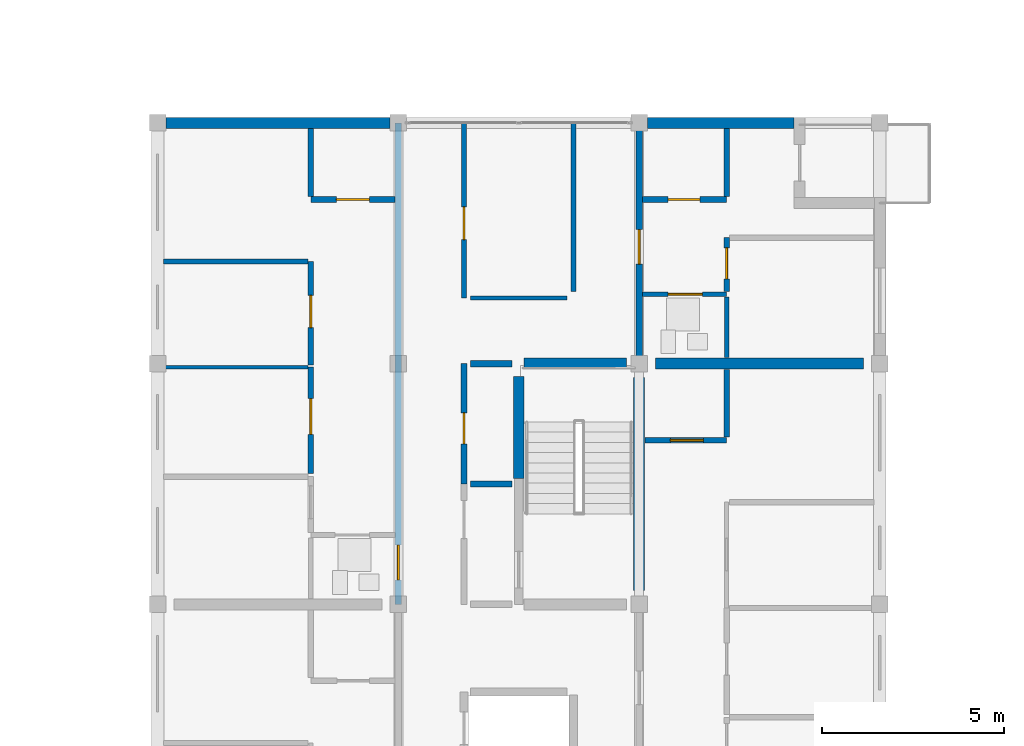
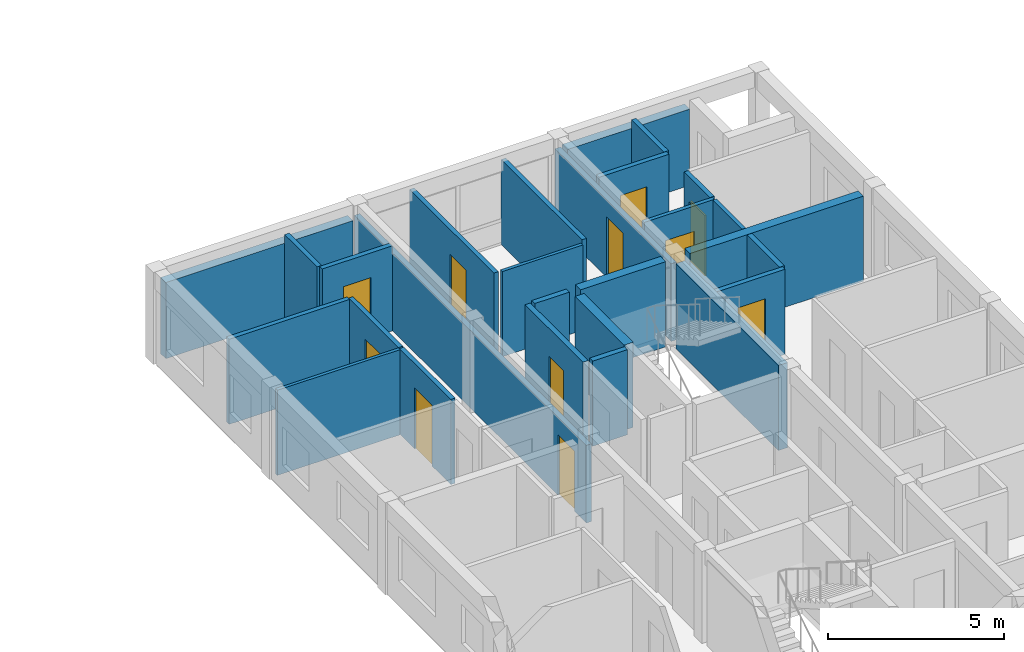
# One storey, part 30 of 45: 27 walls, 11 doors, 11 openings.
"""IFC4 building model written with IfcOpenShell, lengths in metres."""

from ifc_helpers import new_model, si_unit, direction, frame, frame_2d, origin, place, context, subcontext, project, spatial, rectangle, extrude, material, layer, layer_set, type_object, element, fill, save


model = new_model("IFC4")

# Units and contexts
model_context = context("Model", 3, precision=1e-05, world=origin(), true_north=direction((0.0, 1.0)))
body_context = subcontext(model_context, "Body", "Model", "MODEL_VIEW")
ifc_project = project(units=[si_unit("LENGTHUNIT", "METRE"), si_unit("AREAUNIT", "SQUARE_METRE"), si_unit("VOLUMEUNIT", "CUBIC_METRE"), si_unit("PLANEANGLEUNIT", "RADIAN"), si_unit("MASSUNIT", "GRAM", prefix="KILO")], contexts=[model_context])

# Site, building, storey
site_placement = place(None, origin())
site = spatial("IfcSite", under=ifc_project, at=site_placement, CompositionType="ELEMENT")
building_placement = place(site_placement, origin())
building = spatial("IfcBuilding", under=site, at=building_placement, Name="Kernevlak Ridge Housing Community", CompositionType="ELEMENT")
storey_placement = place(building_placement, frame((0.0, 0.0, 14.800048828125)))
storey = spatial("IfcBuildingStorey", under=building, at=storey_placement, Name="L04", CompositionType="ELEMENT", Elevation=14.800048828125)

# Walls
ifc_material_1 = material(Name="Concrete block masonry M10", Category="masonry")
ifc_layer_1 = layer(ifc_material_1, 0.300048828125, Name="Concrete block masonry M10")
ifc_layer_set_1 = layer_set([ifc_layer_1], Name="Concrete block masonry M10")
wall_type_1 = type_object("IfcWallType", Name="EW-01", PredefinedType="STANDARD", material=ifc_layer_set_1)
wall_1_placement = place(storey_placement, frame((126.22509765625, 42.0, 0.0), z_axis=(0.0, 0.0, 1.0), x_axis=(1.0, 0.0, 0.0)))
element("IfcWall", 1, at=wall_1_placement, inside=storey, type_object=wall_type_1, Name="Exterior wall EW-01 L04 598", PredefinedType="STANDARD", context=body_context, shape_type="SweptSolid", body=[
    extrude(rectangle(XDim=6.14990234375, YDim=0.300048828125, at=frame_2d((3.074951171875, 0.0))), origin(), (0.0, 0.0, 1.0), 2.64990234375),
])
wall_2_placement = place(storey_placement, frame((139.425048828125, 42.0, 0.0), z_axis=(0.0, 0.0, 1.0), x_axis=(1.0, 0.0, 0.0)))
element("IfcWall", 2, at=wall_2_placement, inside=storey, type_object=wall_type_1, Name="Exterior wall EW-01 L04 599", PredefinedType="STANDARD", context=body_context, shape_type="SweptSolid", body=[
    extrude(rectangle(XDim=4.02490234375, YDim=0.300048828125, at=frame_2d((2.012451171875, 0.0))), origin(), (0.0, 0.0, 1.0), 2.64990234375),
])

# Wall, opening, door
ifc_layer_2 = layer(ifc_material_1, 0.175048828125, Name="Concrete block masonry M10")
ifc_layer_set_2 = layer_set([ifc_layer_2], Name="Concrete block masonry M10")
wall_type_2 = type_object("IfcWallType", Name="PW-02", PredefinedType="PARTITIONING", material=ifc_layer_set_2)
wall_3_placement = place(storey_placement, frame((134.39990234375, 32.10009765625, 0.0), z_axis=(0.0, 0.0, 1.0), x_axis=(0.0, 1.0, 0.0)))
wall_3 = element("IfcWall", 3, at=wall_3_placement, inside=storey, type_object=wall_type_2, Name="Interior wall PW-02 WAL-INT-L04-2375", PredefinedType="PARTITIONING", context=body_context, shape_type="SweptSolid", body=[
    extrude(rectangle(XDim=3.2998046875, YDim=0.175048828125, at=frame_2d((1.64990234375, 0.0))), origin(), (0.0, 0.0, 1.0), 2.9599609375),
])
opening_1_placement = place(wall_3_placement, frame((1.10009765625, 0.0, 0.0)))
opening_1 = element("IfcOpeningElement", 4, at=opening_1_placement, cuts=wall_3, Name="Opening E204", PredefinedType="OPENING", context=body_context, shape_type="SweptSolid", body=[
    extrude(rectangle(XDim=0.85009765625, YDim=2.0, at=frame_2d((0.425048828125, 1.0))), frame((0.0, 0.097412109375, 0.0), z_axis=(0.0, -1.0, 0.0), x_axis=(1.0, 0.0, 0.0)), (0.0, 0.0, 1.0), 0.195068359375),
])
ifc_material_2 = material(Name="Fire-rated sheet steel leaf", Category="steel")
door_type_1 = type_object("IfcDoorType", Name="DT-07", OperationType="NOTDEFINED", PredefinedType="DOOR", material=ifc_material_2)
door_1_placement = place(opening_1_placement, origin())
door_1 = element("IfcDoor", 5, at=door_1_placement, inside=storey, type_object=door_type_1, Name="Block C Cleaner store door E204", OperationType="SINGLE_SWING_LEFT", OverallHeight=2.0, OverallWidth=0.85009765625, PredefinedType="DOOR", context=body_context, shape_type="SweptSolid", body=[
    extrude(rectangle(XDim=0.85009765625, YDim=2.0, at=frame_2d((0.425048828125, 1.0))), frame((0.0, 0.02490234375, 0.0), z_axis=(0.0, -1.0, 0.0), x_axis=(1.0, 0.0, 0.0)), (0.0, 0.0, 1.0), 0.050048828125),
])
fill(opening_1, door_1)

# Walls
for number, where, z_axis, x_axis, name in (
    (6, (134.580078125, 32.10009765625, 0.0), (0.0, 0.0, 1.0), (1.0, 0.0, 0.0), "Interior wall PW-02 WAL-INT-L04-2377"),
    (7, (134.580078125, 35.39990234375, 0.0), (0.0, 0.0, 1.0), (1.0, 0.0, 0.0), "Interior wall PW-02 WAL-INT-L04-2378"),
):
    element("IfcWall", number, at=place(storey_placement, frame(where, z_axis=z_axis, x_axis=x_axis)), inside=storey, type_object=wall_type_2, Name=name, PredefinedType="PARTITIONING", context=body_context, shape_type="SweptSolid", body=[
        extrude(rectangle(XDim=1.139892578125, YDim=0.175048828125, at=frame_2d((0.56982421875, 0.0))), origin(), (0.0, 0.0, 1.0), 2.9599609375),
    ])

# Wall, opening, door
wall_4_placement = place(storey_placement, frame((132.60009765625, 28.800048828125, 0.0), z_axis=(0.0, 0.0, 1.0), x_axis=(0.0, 1.0, 0.0)))
wall_4 = element("IfcWall", 8, at=wall_4_placement, inside=storey, type_object=wall_type_2, Name="Interior wall PW-02 WAL-INT-L04-2393", PredefinedType="PARTITIONING", context=body_context, shape_type="SweptSolid", body=[
    extrude(rectangle(XDim=13.199951171875, YDim=0.175048828125, at=frame_2d((6.60009765625, 0.0))), origin(), (0.0, 0.0, 1.0), 2.699951171875),
])
opening_2_placement = place(wall_4_placement, frame((0.669921875, 0.0, 0.0)))
opening_2 = element("IfcOpeningElement", 9, at=opening_2_placement, cuts=wall_4, Name="Opening E212", PredefinedType="OPENING", context=body_context, shape_type="SweptSolid", body=[
    extrude(rectangle(XDim=0.949951171875, YDim=2.10009765625, at=frame_2d((0.47509765625, 1.050048828125))), frame((0.0, 0.097412109375, 0.0), z_axis=(0.0, -1.0, 0.0), x_axis=(1.0, 0.0, 0.0)), (0.0, 0.0, 1.0), 0.195068359375),
])
ifc_material_3 = material(Name="Hardwood timber solid-core fire leaf", Category="wood")
door_type_2 = type_object("IfcDoorType", Name="DT-01", OperationType="NOTDEFINED", PredefinedType="DOOR", material=ifc_material_3)
door_2_placement = place(opening_2_placement, origin())
door_2 = element("IfcDoor", 10, at=door_2_placement, inside=storey, type_object=door_type_2, Name="Flat C0412 entrance fire door E212", OperationType="SINGLE_SWING_LEFT", OverallHeight=2.10009765625, OverallWidth=0.949951171875, PredefinedType="DOOR", context=body_context, shape_type="SweptSolid", body=[
    extrude(rectangle(XDim=0.949951171875, YDim=2.10009765625, at=frame_2d((0.47509765625, 1.050048828125))), frame((0.0, 0.02490234375, 0.0), z_axis=(0.0, -1.0, 0.0), x_axis=(1.0, 0.0, 0.0)), (0.0, 0.0, 1.0), 0.050048828125),
])
fill(opening_2, door_2)

wall_5_placement = place(storey_placement, frame((139.199951171875, 35.39990234375, 0.0), z_axis=(0.0, 0.0, 1.0), x_axis=(0.0, 1.0, 0.0)))
wall_5 = element("IfcWall", 11, at=wall_5_placement, inside=storey, type_object=wall_type_2, Name="Interior wall PW-02 WAL-INT-L04-2423", PredefinedType="PARTITIONING", context=body_context, shape_type="SweptSolid", body=[
    extrude(rectangle(XDim=6.60009765625, YDim=0.175048828125, at=frame_2d((3.300048828125, 0.0))), origin(), (0.0, 0.0, 1.0), 2.699951171875),
])
opening_3_placement = place(wall_5_placement, frame((2.72509765625, 0.0, 0.0)))
opening_3 = element("IfcOpeningElement", 12, at=opening_3_placement, cuts=wall_5, Name="Opening E228", PredefinedType="OPENING", context=body_context, shape_type="SweptSolid", body=[
    extrude(rectangle(XDim=0.949951171875, YDim=2.10009765625, at=frame_2d((0.47509765625, 1.050048828125))), frame((0.0, 0.097412109375, 0.0), z_axis=(0.0, -1.0, 0.0), x_axis=(1.0, 0.0, 0.0)), (0.0, 0.0, 1.0), 0.195068359375),
])
door_3_placement = place(opening_3_placement, origin())
door_3 = element("IfcDoor", 13, at=door_3_placement, inside=storey, type_object=door_type_2, Name="Flat C0423 entrance fire door E228", OperationType="SINGLE_SWING_LEFT", OverallHeight=2.10009765625, OverallWidth=0.949951171875, PredefinedType="DOOR", context=body_context, shape_type="SweptSolid", body=[
    extrude(rectangle(XDim=0.949951171875, YDim=2.10009765625, at=frame_2d((0.47509765625, 1.050048828125))), frame((0.0, 0.02490234375, 0.0), z_axis=(0.0, -1.0, 0.0), x_axis=(1.0, 0.0, 0.0)), (0.0, 0.0, 1.0), 0.050048828125),
])
fill(opening_3, door_3)

ifc_layer_3 = layer(ifc_material_1, 0.14501953125, Name="Concrete block masonry M10")
ifc_layer_set_3 = layer_set([ifc_layer_3], Name="Concrete block masonry M10")
wall_type_3 = type_object("IfcWallType", Name="PW-03", PredefinedType="PARTITIONING", material=ifc_layer_set_3)
wall_6_placement = place(storey_placement, frame((134.39990234375, 37.199951171875, 0.0), z_axis=(0.0, 0.0, 1.0), x_axis=(0.0, 1.0, 0.0)))
wall_6 = element("IfcWall", 14, at=wall_6_placement, inside=storey, type_object=wall_type_3, Name="Interior wall PW-03 WAL-INT-L04-2379", PredefinedType="PARTITIONING", context=body_context, shape_type="SweptSolid", body=[
    extrude(rectangle(XDim=4.800048828125, YDim=0.14501953125, at=frame_2d((2.39990234375, 0.0))), origin(), (0.0, 0.0, 1.0), 2.9599609375),
])
opening_4_placement = place(wall_6_placement, frame((1.60009765625, 0.0, 0.0)))
opening_4 = element("IfcOpeningElement", 15, at=opening_4_placement, cuts=wall_6, Name="Opening E205", PredefinedType="OPENING", context=body_context, shape_type="SweptSolid", body=[
    extrude(rectangle(XDim=0.89990234375, YDim=2.10009765625, at=frame_2d((0.449951171875, 1.050048828125))), frame((0.0, 0.08251953125, 0.0), z_axis=(0.0, -1.0, 0.0), x_axis=(1.0, 0.0, 0.0)), (0.0, 0.0, 1.0), 0.1650390625),
])
ifc_material_4 = material(Name="Hardwood timber leaf", Category="wood")
door_type_3 = type_object("IfcDoorType", Name="DT-21", OperationType="NOTDEFINED", PredefinedType="DOOR", material=ifc_material_4)
door_4_placement = place(opening_4_placement, origin())
door_4 = element("IfcDoor", 16, at=door_4_placement, inside=storey, type_object=door_type_3, Name="Block C Laundry room door E205", OperationType="SINGLE_SWING_RIGHT", OverallHeight=2.10009765625, OverallWidth=0.89990234375, PredefinedType="DOOR", context=body_context, shape_type="SweptSolid", body=[
    extrude(rectangle(XDim=0.89990234375, YDim=2.10009765625, at=frame_2d((0.449951171875, 1.050048828125))), frame((0.0, 0.02490234375, 0.0), z_axis=(0.0, -1.0, 0.0), x_axis=(1.0, 0.0, 0.0)), (0.0, 0.0, 1.0), 0.050048828125),
])
fill(opening_4, door_4)

# Wall
wall_7_placement = place(storey_placement, frame((137.39990234375, 37.3798828125, 0.0), z_axis=(0.0, 0.0, 1.0), x_axis=(0.0, 1.0, 0.0)))
element("IfcWall", 17, at=wall_7_placement, inside=storey, type_object=wall_type_3, Name="Interior wall PW-03 WAL-INT-L04-2380", PredefinedType="PARTITIONING", context=body_context, shape_type="SweptSolid", body=[
    extrude(rectangle(XDim=4.60009765625, YDim=0.14501953125, at=frame_2d((2.300048828125, 0.0))), origin(), (0.0, 0.0, 1.0), 2.9599609375),
])

# Wall, opening, door
wall_8_placement = place(storey_placement, frame((130.199951171875, 32.382568359375, 0.0), z_axis=(0.0, 0.0, 1.0), x_axis=(0.0, 1.0, 0.0)))
wall_8 = element("IfcWall", 18, at=wall_8_placement, inside=storey, type_object=wall_type_3, Name="Interior wall PW-03 WAL-INT-L04-2400", PredefinedType="PARTITIONING", context=body_context, shape_type="SweptSolid", body=[
    extrude(rectangle(XDim=2.91748046875, YDim=0.14501953125, at=frame_2d((1.458740234375, 0.0))), origin(), (0.0, 0.0, 1.0), 2.9599609375),
])
opening_5_placement = place(wall_8_placement, frame((1.074951171875, 0.0, 0.0)))
opening_5 = element("IfcOpeningElement", 19, at=opening_5_placement, cuts=wall_8, Name="Opening E216", PredefinedType="OPENING", context=body_context, shape_type="SweptSolid", body=[
    extrude(rectangle(XDim=0.97998046875, YDim=2.1201171875, at=frame_2d((0.489990234375, 1.06005859375))), frame((0.0, 0.08251953125, 0.0), z_axis=(0.0, -1.0, 0.0), x_axis=(1.0, 0.0, 0.0)), (0.0, 0.0, 1.0), 0.1650390625),
])
door_type_4 = type_object("IfcDoorType", Name="DT-24", OperationType="NOTDEFINED", PredefinedType="DOOR", material=ifc_material_4)
door_5_placement = place(opening_5_placement, origin())
door_5 = element("IfcDoor", 20, at=door_5_placement, inside=storey, type_object=door_type_4, Name="Flat C0412 bedroom door E216", OperationType="SINGLE_SWING_LEFT", OverallHeight=2.1201171875, OverallWidth=0.97998046875, PredefinedType="DOOR", context=body_context, shape_type="SweptSolid", body=[
    extrude(rectangle(XDim=0.97998046875, YDim=2.1201171875, at=frame_2d((0.489990234375, 1.06005859375))), frame((0.0, 0.02490234375, 0.0), z_axis=(0.0, -1.0, 0.0), x_axis=(1.0, 0.0, 0.0)), (0.0, 0.0, 1.0), 0.050048828125),
])
fill(opening_5, door_5)

wall_9_placement = place(storey_placement, frame((130.199951171875, 35.362548828125, 0.0), z_axis=(0.0, 0.0, 1.0), x_axis=(0.0, 1.0, 0.0)))
wall_9 = element("IfcWall", 21, at=wall_9_placement, inside=storey, type_object=wall_type_3, Name="Interior wall PW-03 WAL-INT-L04-2402", PredefinedType="PARTITIONING", context=body_context, shape_type="SweptSolid", body=[
    extrude(rectangle(XDim=2.83740234375, YDim=0.14501953125, at=frame_2d((1.418701171875, 0.0))), origin(), (0.0, 0.0, 1.0), 2.9599609375),
])
opening_6_placement = place(wall_9_placement, frame((1.02490234375, 0.0, 0.0)))
opening_6 = element("IfcOpeningElement", 22, at=opening_6_placement, cuts=wall_9, Name="Opening E217", PredefinedType="OPENING", context=body_context, shape_type="SweptSolid", body=[
    extrude(rectangle(XDim=0.8798828125, YDim=2.10009765625, at=frame_2d((0.43994140625, 1.050048828125))), frame((0.0, 0.08251953125, 0.0), z_axis=(0.0, -1.0, 0.0), x_axis=(1.0, 0.0, 0.0)), (0.0, 0.0, 1.0), 0.1650390625),
])
door_type_5 = type_object("IfcDoorType", Name="DT-25", OperationType="NOTDEFINED", PredefinedType="DOOR", material=ifc_material_4)
door_6_placement = place(opening_6_placement, origin())
door_6 = element("IfcDoor", 23, at=door_6_placement, inside=storey, type_object=door_type_5, Name="Flat C0412 bedroom door E217", OperationType="SINGLE_SWING_RIGHT", OverallHeight=2.10009765625, OverallWidth=0.8798828125, PredefinedType="DOOR", context=body_context, shape_type="SweptSolid", body=[
    extrude(rectangle(XDim=0.8798828125, YDim=2.10009765625, at=frame_2d((0.43994140625, 1.050048828125))), frame((0.0, 0.02490234375, 0.0), z_axis=(0.0, -1.0, 0.0), x_axis=(1.0, 0.0, 0.0)), (0.0, 0.0, 1.0), 0.050048828125),
])
fill(opening_6, door_6)

# Wall
wall_10_placement = place(storey_placement, frame((130.117431640625, 38.199951171875, 0.0), z_axis=(0.0, 0.0, 1.0), x_axis=(-1.0, 0.0, 0.0)))
element("IfcWall", 24, at=wall_10_placement, inside=storey, type_object=wall_type_3, Name="Interior wall PW-03 WAL-INT-L04-2403", PredefinedType="PARTITIONING", context=body_context, shape_type="SweptSolid", body=[
    extrude(rectangle(XDim=3.95751953125, YDim=0.14501953125, at=frame_2d((1.978759765625, 0.0))), origin(), (0.0, 0.0, 1.0), 2.9599609375),
])

# Wall, opening, door
wall_11_placement = place(storey_placement, frame((141.60009765625, 37.37255859375, 0.0), z_axis=(0.0, 0.0, 1.0), x_axis=(0.0, 1.0, 0.0)))
wall_11 = element("IfcWall", 25, at=wall_11_placement, inside=storey, type_object=wall_type_3, Name="Interior wall PW-03 WAL-INT-L04-2428", PredefinedType="PARTITIONING", context=body_context, shape_type="SweptSolid", body=[
    extrude(rectangle(XDim=1.4775390625, YDim=0.14501953125, at=frame_2d((0.73876953125, 0.0))), origin(), (0.0, 0.0, 1.0), 2.9599609375),
])
opening_7_placement = place(wall_11_placement, frame((0.35009765625, 0.0, 0.0)))
opening_7 = element("IfcOpeningElement", 26, at=opening_7_placement, cuts=wall_11, Name="Opening E231", PredefinedType="OPENING", context=body_context, shape_type="SweptSolid", body=[
    extrude(rectangle(XDim=0.85009765625, YDim=2.10009765625, at=frame_2d((0.425048828125, 1.050048828125))), frame((0.0, 0.08251953125, 0.0), z_axis=(0.0, -1.0, 0.0), x_axis=(1.0, 0.0, 0.0)), (0.0, 0.0, 1.0), 0.1650390625),
])
door_type_6 = type_object("IfcDoorType", Name="DT-03", OperationType="NOTDEFINED", PredefinedType="DOOR", material=ifc_material_4)
door_7_placement = place(opening_7_placement, origin())
door_7 = element("IfcDoor", 27, at=door_7_placement, inside=storey, type_object=door_type_6, Name="Flat C0423 bedroom door E231", OperationType="SINGLE_SWING_RIGHT", OverallHeight=2.10009765625, OverallWidth=0.85009765625, PredefinedType="DOOR", context=body_context, shape_type="SweptSolid", body=[
    extrude(rectangle(XDim=0.85009765625, YDim=2.10009765625, at=frame_2d((0.425048828125, 1.050048828125))), frame((0.0, 0.02490234375, 0.0), z_axis=(0.0, -1.0, 0.0), x_axis=(1.0, 0.0, 0.0)), (0.0, 0.0, 1.0), 0.050048828125),
])
fill(opening_7, door_7)

ifc_material_5 = material(Name="Gypsum plasterboard EN 520", Category="gypsum")
ifc_layer_4 = layer(ifc_material_5, 0.125, Name="Gypsum plasterboard EN 520")
ifc_layer_set_4 = layer_set([ifc_layer_4], Name="Gypsum plasterboard EN 520")
wall_type_4 = type_object("IfcWallType", Name="PW-04", PredefinedType="PARTITIONING", material=ifc_layer_set_4)
wall_12_placement = place(storey_placement, frame((139.297607421875, 37.300048828125, 0.0), z_axis=(0.0, 0.0, 1.0), x_axis=(1.0, 0.0, 0.0)))
wall_12 = element("IfcWall", 28, at=wall_12_placement, inside=storey, type_object=wall_type_4, Name="Interior wall PW-04 WAL-INT-L04-2424", PredefinedType="PARTITIONING", context=body_context, shape_type="SweptSolid", body=[
    extrude(rectangle(XDim=2.302490234375, YDim=0.125, at=frame_2d((1.1513671875, 0.0))), origin(), (0.0, 0.0, 1.0), 2.9599609375),
])
opening_8_placement = place(wall_12_placement, frame((0.699951171875, 0.0, 0.0)))
opening_8 = element("IfcOpeningElement", 29, at=opening_8_placement, cuts=wall_12, Name="Opening E229", PredefinedType="OPENING", context=body_context, shape_type="SweptSolid", body=[
    extrude(rectangle(XDim=0.93994140625, YDim=2.080078125, at=frame_2d((0.469970703125, 1.0400390625))), frame((0.0, 0.072509765625, 0.0), z_axis=(0.0, -1.0, 0.0), x_axis=(1.0, 0.0, 0.0)), (0.0, 0.0, 1.0), 0.14501953125),
])
ifc_material_6 = material(Name="Hardwood timber moisture-resistant leaf", Category="wood")
door_type_7 = type_object("IfcDoorType", Name="DT-23", OperationType="NOTDEFINED", PredefinedType="DOOR", material=ifc_material_6)
door_8_placement = place(opening_8_placement, origin())
door_8 = element("IfcDoor", 30, at=door_8_placement, inside=storey, type_object=door_type_7, Name="Flat C0423 bathroom door E229", OperationType="SINGLE_SWING_RIGHT", OverallHeight=2.080078125, OverallWidth=0.93994140625, PredefinedType="DOOR", context=body_context, shape_type="SweptSolid", body=[
    extrude(rectangle(XDim=0.93994140625, YDim=2.080078125, at=frame_2d((0.469970703125, 1.0400390625))), frame((0.0, 0.02490234375, 0.0), z_axis=(0.0, -1.0, 0.0), x_axis=(1.0, 0.0, 0.0)), (0.0, 0.0, 1.0), 0.050048828125),
])
fill(opening_8, door_8)

# Wall
wall_13_placement = place(storey_placement, frame((141.60009765625, 35.56005859375, 0.0), z_axis=(0.0, 0.0, 1.0), x_axis=(0.0, 1.0, 0.0)))
element("IfcWall", 31, at=wall_13_placement, inside=storey, type_object=wall_type_4, Name="Interior wall PW-04 WAL-INT-L04-2425", PredefinedType="PARTITIONING", context=body_context, shape_type="SweptSolid", body=[
    extrude(rectangle(XDim=1.659912109375, YDim=0.125, at=frame_2d((0.830078125, 0.0))), origin(), (0.0, 0.0, 1.0), 2.9599609375),
])

# Wall, opening, door
ifc_layer_5 = layer(ifc_material_5, 0.155029296875, Name="Gypsum plasterboard EN 520")
ifc_layer_set_5 = layer_set([ifc_layer_5], Name="Gypsum plasterboard EN 520")
wall_type_5 = type_object("IfcWallType", Name="PW-05", PredefinedType="PARTITIONING", material=ifc_layer_set_5)
wall_14_placement = place(storey_placement, frame((132.50244140625, 39.89990234375, 0.0), z_axis=(0.0, 0.0, 1.0), x_axis=(-1.0, 0.0, 0.0)))
wall_14 = element("IfcWall", 32, at=wall_14_placement, inside=storey, type_object=wall_type_5, Name="Interior wall PW-05 WAL-INT-L04-2396", PredefinedType="PARTITIONING", context=body_context, shape_type="SweptSolid", body=[
    extrude(rectangle(XDim=2.302490234375, YDim=0.155029296875, at=frame_2d((1.1513671875, 0.0))), origin(), (0.0, 0.0, 1.0), 2.9599609375),
])
opening_9_placement = place(wall_14_placement, frame((0.699951171875, 0.0, 0.0)))
opening_9 = element("IfcOpeningElement", 33, at=opening_9_placement, cuts=wall_14, Name="Opening E214", PredefinedType="OPENING", context=body_context, shape_type="SweptSolid", body=[
    extrude(rectangle(XDim=0.89990234375, YDim=2.10009765625, at=frame_2d((0.449951171875, 1.050048828125))), frame((0.0, 0.08740234375, 0.0), z_axis=(0.0, -1.0, 0.0), x_axis=(1.0, 0.0, 0.0)), (0.0, 0.0, 1.0), 0.175048828125),
])
door_9_placement = place(opening_9_placement, origin())
door_9 = element("IfcDoor", 34, at=door_9_placement, inside=storey, type_object=door_type_3, Name="Flat C0412 kitchen door E214", OperationType="SINGLE_SWING_LEFT", OverallHeight=2.10009765625, OverallWidth=0.89990234375, PredefinedType="DOOR", context=body_context, shape_type="SweptSolid", body=[
    extrude(rectangle(XDim=0.89990234375, YDim=2.10009765625, at=frame_2d((0.449951171875, 1.050048828125))), frame((0.0, 0.02490234375, 0.0), z_axis=(0.0, -1.0, 0.0), x_axis=(1.0, 0.0, 0.0)), (0.0, 0.0, 1.0), 0.050048828125),
])
fill(opening_9, door_9)

# Wall
wall_15_placement = place(storey_placement, frame((130.199951171875, 39.987548828125, 0.0), z_axis=(0.0, 0.0, 1.0), x_axis=(0.0, 1.0, 0.0)))
element("IfcWall", 35, at=wall_15_placement, inside=storey, type_object=wall_type_5, Name="Interior wall PW-05 WAL-INT-L04-2397", PredefinedType="PARTITIONING", context=body_context, shape_type="SweptSolid", body=[
    extrude(rectangle(XDim=1.8525390625, YDim=0.155029296875, at=frame_2d((0.92626953125, 0.0))), origin(), (0.0, 0.0, 1.0), 2.9599609375),
])

# Wall, opening, door
wall_16_placement = place(storey_placement, frame((139.360107421875, 33.300048828125, 0.0), z_axis=(0.0, 0.0, 1.0), x_axis=(1.0, 0.0, 0.0)))
wall_16 = element("IfcWall", 36, at=wall_16_placement, inside=storey, type_object=wall_type_5, Name="Interior wall PW-05 WAL-INT-L04-2415", PredefinedType="PARTITIONING", context=body_context, shape_type="SweptSolid", body=[
    extrude(rectangle(XDim=2.239990234375, YDim=0.155029296875, at=frame_2d((1.1201171875, 0.0))), origin(), (0.0, 0.0, 1.0), 2.9599609375),
])
opening_10_placement = place(wall_16_placement, frame((0.699951171875, 0.0, 0.0)))
opening_10 = element("IfcOpeningElement", 37, at=opening_10_placement, cuts=wall_16, Name="Opening E224", PredefinedType="OPENING", context=body_context, shape_type="SweptSolid", body=[
    extrude(rectangle(XDim=0.89990234375, YDim=2.159912109375, at=frame_2d((0.449951171875, 1.080078125))), frame((0.0, 0.08740234375, 0.0), z_axis=(0.0, -1.0, 0.0), x_axis=(1.0, 0.0, 0.0)), (0.0, 0.0, 1.0), 0.175048828125),
])
door_type_8 = type_object("IfcDoorType", Name="DT-22", OperationType="NOTDEFINED", PredefinedType="DOOR", material=ifc_material_4)
door_10_placement = place(opening_10_placement, origin())
door_10 = element("IfcDoor", 38, at=door_10_placement, inside=storey, type_object=door_type_8, Name="Flat C0422 kitchen door E224", OperationType="SINGLE_SWING_LEFT", OverallHeight=2.159912109375, OverallWidth=0.89990234375, PredefinedType="DOOR", context=body_context, shape_type="SweptSolid", body=[
    extrude(rectangle(XDim=0.89990234375, YDim=2.159912109375, at=frame_2d((0.449951171875, 1.080078125))), frame((0.0, 0.02490234375, 0.0), z_axis=(0.0, -1.0, 0.0), x_axis=(1.0, 0.0, 0.0)), (0.0, 0.0, 1.0), 0.050048828125),
])
fill(opening_10, door_10)

# Wall
wall_17_placement = place(storey_placement, frame((141.60009765625, 33.387451171875, 0.0), z_axis=(0.0, 0.0, 1.0), x_axis=(0.0, 1.0, 0.0)))
element("IfcWall", 39, at=wall_17_placement, inside=storey, type_object=wall_type_5, Name="Interior wall PW-05 WAL-INT-L04-2416", PredefinedType="PARTITIONING", context=body_context, shape_type="SweptSolid", body=[
    extrude(rectangle(XDim=1.8525390625, YDim=0.155029296875, at=frame_2d((0.92626953125, 0.0))), origin(), (0.0, 0.0, 1.0), 2.9599609375),
])

# Wall, opening, door
wall_18_placement = place(storey_placement, frame((139.297607421875, 39.89990234375, 0.0), z_axis=(0.0, 0.0, 1.0), x_axis=(1.0, 0.0, 0.0)))
wall_18 = element("IfcWall", 40, at=wall_18_placement, inside=storey, type_object=wall_type_5, Name="Interior wall PW-05 WAL-INT-L04-2426", PredefinedType="PARTITIONING", context=body_context, shape_type="SweptSolid", body=[
    extrude(rectangle(XDim=2.302490234375, YDim=0.155029296875, at=frame_2d((1.1513671875, 0.0))), origin(), (0.0, 0.0, 1.0), 2.9599609375),
])
opening_11_placement = place(wall_18_placement, frame((0.699951171875, 0.0, 0.0)))
opening_11 = element("IfcOpeningElement", 41, at=opening_11_placement, cuts=wall_18, Name="Opening E230", PredefinedType="OPENING", context=body_context, shape_type="SweptSolid", body=[
    extrude(rectangle(XDim=0.8701171875, YDim=2.080078125, at=frame_2d((0.43505859375, 1.0400390625))), frame((0.0, 0.08740234375, 0.0), z_axis=(0.0, -1.0, 0.0), x_axis=(1.0, 0.0, 0.0)), (0.0, 0.0, 1.0), 0.175048828125),
])
door_type_9 = type_object("IfcDoorType", Name="DT-32", OperationType="NOTDEFINED", PredefinedType="DOOR", material=ifc_material_4)
door_11_placement = place(opening_11_placement, origin())
door_11 = element("IfcDoor", 42, at=door_11_placement, inside=storey, type_object=door_type_9, Name="Flat C0423 kitchen door E230", OperationType="SINGLE_SWING_LEFT", OverallHeight=2.080078125, OverallWidth=0.8701171875, PredefinedType="DOOR", context=body_context, shape_type="SweptSolid", body=[
    extrude(rectangle(XDim=0.8701171875, YDim=2.080078125, at=frame_2d((0.43505859375, 1.0400390625))), frame((0.0, 0.02490234375, 0.0), z_axis=(0.0, -1.0, 0.0), x_axis=(1.0, 0.0, 0.0)), (0.0, 0.0, 1.0), 0.050048828125),
])
fill(opening_11, door_11)

# Walls
wall_19_placement = place(storey_placement, frame((141.60009765625, 39.987548828125, 0.0), z_axis=(0.0, 0.0, 1.0), x_axis=(0.0, 1.0, 0.0)))
element("IfcWall", 43, at=wall_19_placement, inside=storey, type_object=wall_type_5, Name="Interior wall PW-05 WAL-INT-L04-2427", PredefinedType="PARTITIONING", context=body_context, shape_type="SweptSolid", body=[
    extrude(rectangle(XDim=1.8525390625, YDim=0.155029296875, at=frame_2d((0.92626953125, 0.0))), origin(), (0.0, 0.0, 1.0), 2.9599609375),
])
ifc_layer_6 = layer(ifc_material_5, 0.10498046875, Name="Gypsum plasterboard EN 520")
ifc_layer_set_6 = layer_set([ifc_layer_6], Name="Gypsum plasterboard EN 520")
wall_type_6 = type_object("IfcWallType", Name="PW-06", PredefinedType="PARTITIONING", material=ifc_layer_set_6)
wall_20_placement = place(storey_placement, frame((134.580078125, 37.199951171875, 0.0), z_axis=(0.0, 0.0, 1.0), x_axis=(1.0, 0.0, 0.0)))
element("IfcWall", 44, at=wall_20_placement, inside=storey, type_object=wall_type_6, Name="Interior wall PW-06 WAL-INT-L04-2381", PredefinedType="PARTITIONING", context=body_context, shape_type="SweptSolid", body=[
    extrude(rectangle(XDim=2.639892578125, YDim=0.10498046875, at=frame_2d((1.31982421875, 0.0))), origin(), (0.0, 0.0, 1.0), 2.9599609375),
])
wall_21_placement = place(storey_placement, frame((130.117431640625, 35.300048828125, 0.0), z_axis=(0.0, 0.0, 1.0), x_axis=(-1.0, 0.0, 0.0)))
element("IfcWall", 45, at=wall_21_placement, inside=storey, type_object=wall_type_6, Name="Interior wall PW-06 WAL-INT-L04-2401", PredefinedType="PARTITIONING", context=body_context, shape_type="SweptSolid", body=[
    extrude(rectangle(XDim=4.037353515625, YDim=0.10498046875, at=frame_2d((2.0185546875, 0.0))), origin(), (0.0, 0.0, 1.0), 2.9599609375),
])
ifc_material_7 = material(Name="Concrete C40/50", Category="concrete")
ifc_layer_7 = layer(ifc_material_7, 0.300048828125, Name="Concrete C40/50")
ifc_layer_set_7 = layer_set([ifc_layer_7], Name="Concrete C40/50")
wall_type_7 = type_object("IfcWallType", Name="SW-02", PredefinedType="SHEAR", material=ifc_layer_set_7)
wall_22_placement = place(storey_placement, frame((139.199951171875, 29.179931640625, 0.0), z_axis=(0.0, 0.0, 1.0), x_axis=(0.0, 1.0, 0.0)))
element("IfcWall", 46, at=wall_22_placement, inside=storey, type_object=wall_type_7, Name="Shear wall SW-02 Block C L04 414", PredefinedType="SHEAR", context=body_context, shape_type="SweptSolid", body=[
    extrude(rectangle(XDim=5.840087890625, YDim=0.300048828125, at=frame_2d((2.919921875, 0.0))), origin(), (0.0, 0.0, 1.0), 2.9599609375),
])
for number, where, z_axis, x_axis, name in (
    (47, (135.89990234375, 32.25, 0.0), (0.0, 0.0, 1.0), (0.0, 1.0, 0.0), "Shear wall SW-02 Block C L04 415"),
    (48, (136.050048828125, 35.39990234375, 0.0), (0.0, 0.0, 1.0), (1.0, 0.0, 0.0), "Shear wall SW-02 Block C L04 417"),
):
    element("IfcWall", number, at=place(storey_placement, frame(where, z_axis=z_axis, x_axis=x_axis)), inside=storey, type_object=wall_type_7, Name=name, PredefinedType="SHEAR", context=body_context, shape_type="SweptSolid", body=[
        extrude(rectangle(XDim=2.800048828125, YDim=0.300048828125, at=frame_2d((1.39990234375, 0.0))), origin(), (0.0, 0.0, 1.0), 2.9599609375),
    ])
wall_23_placement = place(storey_placement, frame((139.64990234375, 35.39990234375, 0.0), z_axis=(0.0, 0.0, 1.0), x_axis=(1.0, 0.0, 0.0)))
element("IfcWall", 49, at=wall_23_placement, inside=storey, type_object=wall_type_7, Name="Shear wall SW-02 Block C L04 420", PredefinedType="SHEAR", context=body_context, shape_type="SweptSolid", body=[
    extrude(rectangle(XDim=5.7001953125, YDim=0.300048828125, at=frame_2d((2.85009765625, 0.0))), origin(), (0.0, 0.0, 1.0), 2.9599609375),
])

save(model, "model.ifc")
